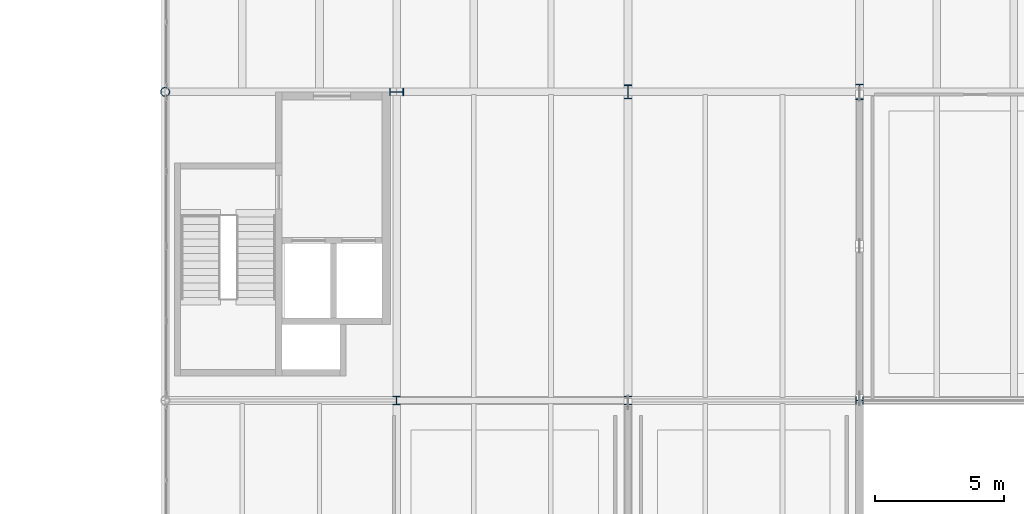
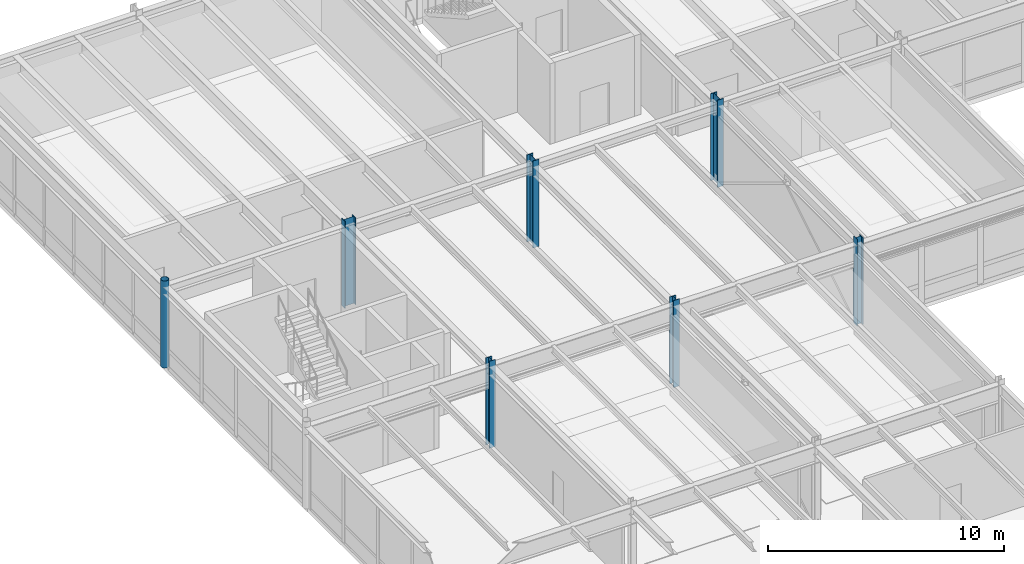
# One storey, part 13 of 127: 7 columns.
"""IFC4 building model written with IfcOpenShell, lengths in metres."""

from ifc_helpers import new_model, si_unit, direction, frame, origin, origin_2d, place, context, subcontext, project, spatial, hollow_circle, i_section, extrude, material, material_profile, profile_set, type_object, element, save


model = new_model("IFC4")

# Units and contexts
model_context = context("Model", 3, precision=1e-05, world=origin(), true_north=direction((0.0, 1.0)))
body_context = subcontext(model_context, "Body", "Model", "MODEL_VIEW")
ifc_project = project(units=[si_unit("LENGTHUNIT", "METRE"), si_unit("AREAUNIT", "SQUARE_METRE"), si_unit("VOLUMEUNIT", "CUBIC_METRE"), si_unit("PLANEANGLEUNIT", "RADIAN"), si_unit("MASSUNIT", "GRAM", prefix="KILO")], contexts=[model_context])

# Site, building, storey
site_placement = place(None, origin())
site = spatial("IfcSite", under=ifc_project, at=site_placement, CompositionType="ELEMENT")
building_placement = place(site_placement, origin())
building = spatial("IfcBuilding", under=site, at=building_placement, Name="Montelvaro Courts of Justice", CompositionType="ELEMENT")
storey_placement = place(building_placement, frame((0.0, 0.0, 5.39990234375)))
storey = spatial("IfcBuildingStorey", under=building, at=storey_placement, Name="L01", CompositionType="ELEMENT", Elevation=5.39990234375)

# Columns
ifc_material = material(Name="Steel S355", Category="steel")
ifc_material_profile_1 = material_profile(ifc_material, hollow_circle(Radius=0.177734375, WallThickness=0.01611328125, at=origin_2d()), Name="CHS 355.6x16")
ifc_profile_set_1 = profile_set([ifc_material_profile_1], Name="Steel S355")
column_type_1 = type_object("IfcColumnType", Name="Col_CHS356", PredefinedType="PILASTER", material=ifc_profile_set_1)
column_1_placement = place(storey_placement, frame((99.0, 78.0, 0.0), z_axis=(0.0, 0.0, 1.0), x_axis=(1.0, 0.0, 0.0)))
element("IfcColumn", 1, at=column_1_placement, inside=storey, type_object=column_type_1, Name="Column C-19 L01 12/G", PredefinedType="PILASTER", context=body_context, shape_type="SweptSolid", body=[
    extrude(hollow_circle(Radius=0.177734375, WallThickness=0.01611328125, at=origin_2d()), origin(), (0.0, 0.0, 1.0), 4.5),
])
ifc_material_profile_2 = material_profile(ifc_material, i_section(OverallWidth=0.300048828125, OverallDepth=0.300048828125, WebThickness=0.010986328125, FlangeThickness=0.01904296875, at=origin_2d()), Name="HEB 300")
ifc_profile_set_2 = profile_set([ifc_material_profile_2], Name="Steel S355")
column_type_2 = type_object("IfcColumnType", Name="Col_HEB300", PredefinedType="COLUMN", material=ifc_profile_set_2)
column_2_placement = place(storey_placement, frame((126.0, 66.0, 0.0), z_axis=(0.0, 0.0, 1.0), x_axis=(0.0, 1.0, 0.0)))
element("IfcColumn", 2, at=column_2_placement, inside=storey, type_object=column_type_2, Name="Column C-03 L01 15/F", PredefinedType="COLUMN", context=body_context, shape_type="SweptSolid", body=[
    extrude(i_section(OverallWidth=0.300048828125, OverallDepth=0.300048828125, WebThickness=0.010986328125, FlangeThickness=0.01904296875, at=origin_2d()), origin(), (0.0, 0.0, 1.0), 4.5),
])
ifc_material_profile_3 = material_profile(ifc_material, i_section(OverallWidth=0.300048828125, OverallDepth=0.320068359375, WebThickness=0.011474609375, FlangeThickness=0.0205078125, at=origin_2d()), Name="HEB 320")
ifc_profile_set_3 = profile_set([ifc_material_profile_3], Name="Steel S355")
column_type_3 = type_object("IfcColumnType", Name="Col_HEB320", PredefinedType="COLUMN", material=ifc_profile_set_3)
column_3_placement = place(storey_placement, frame((108.0, 66.0, 0.0), z_axis=(0.0, 0.0, 1.0), x_axis=(1.0, 0.0, 0.0)))
element("IfcColumn", 3, at=column_3_placement, inside=storey, type_object=column_type_3, Name="Column C-04 L01 13/F", PredefinedType="COLUMN", context=body_context, shape_type="SweptSolid", body=[
    extrude(i_section(OverallWidth=0.300048828125, OverallDepth=0.320068359375, WebThickness=0.011474609375, FlangeThickness=0.0205078125, at=origin_2d()), origin(), (0.0, 0.0, 1.0), 4.5),
])
ifc_material_profile_4 = material_profile(ifc_material, i_section(OverallWidth=0.300048828125, OverallDepth=0.340087890625, WebThickness=0.011962890625, FlangeThickness=0.021484375, at=origin_2d()), Name="HEB 340")
ifc_profile_set_4 = profile_set([ifc_material_profile_4], Name="Steel S355")
column_type_4 = type_object("IfcColumnType", Name="Col_HEB340", PredefinedType="COLUMN", material=ifc_profile_set_4)
column_4_placement = place(storey_placement, frame((117.0, 66.0, 0.0), z_axis=(0.0, 0.0, 1.0), x_axis=(1.0, 0.0, 0.0)))
element("IfcColumn", 4, at=column_4_placement, inside=storey, type_object=column_type_4, Name="Column C-05 L01 14/F", PredefinedType="COLUMN", context=body_context, shape_type="SweptSolid", body=[
    extrude(i_section(OverallWidth=0.300048828125, OverallDepth=0.340087890625, WebThickness=0.011962890625, FlangeThickness=0.021484375, at=origin_2d()), origin(), (0.0, 0.0, 1.0), 4.5),
])
ifc_material_profile_5 = material_profile(ifc_material, i_section(OverallWidth=0.300048828125, OverallDepth=0.550048828125, WebThickness=0.014892578125, FlangeThickness=0.029052734375, at=origin_2d()), Name="HEB 550")
ifc_profile_set_5 = profile_set([ifc_material_profile_5], Name="Steel S355")
column_type_5 = type_object("IfcColumnType", Name="Col_HEB550", PredefinedType="COLUMN", material=ifc_profile_set_5)
for number, where, z_axis, x_axis, name in (
    (5, (108.0, 78.0, 0.0), (0.0, 0.0, 1.0), (0.0, 1.0, 0.0), "Column C-10 L01 13/G"),
    (6, (117.0, 78.0, 0.0), (0.0, 0.0, 1.0), (1.0, 0.0, 0.0), "Column C-10 L01 14/G"),
):
    element("IfcColumn", number, at=place(storey_placement, frame(where, z_axis=z_axis, x_axis=x_axis)), inside=storey, type_object=column_type_5, Name=name, PredefinedType="COLUMN", context=body_context, shape_type="SweptSolid", body=[
        extrude(i_section(OverallWidth=0.300048828125, OverallDepth=0.550048828125, WebThickness=0.014892578125, FlangeThickness=0.029052734375, at=origin_2d()), origin(), (0.0, 0.0, 1.0), 4.5),
    ])
ifc_material_profile_6 = material_profile(ifc_material, i_section(OverallWidth=0.300048828125, OverallDepth=0.60009765625, WebThickness=0.015380859375, FlangeThickness=0.030029296875, at=origin_2d()), Name="HEB 600")
ifc_profile_set_6 = profile_set([ifc_material_profile_6], Name="Steel S355")
column_type_6 = type_object("IfcColumnType", Name="Col_HEB600", PredefinedType="COLUMN", material=ifc_profile_set_6)
column_5_placement = place(storey_placement, frame((126.0, 78.0, 0.0), z_axis=(0.0, 0.0, 1.0), x_axis=(1.0, 0.0, 0.0)))
element("IfcColumn", 7, at=column_5_placement, inside=storey, type_object=column_type_6, Name="Column C-11 L01 15/G", PredefinedType="COLUMN", context=body_context, shape_type="SweptSolid", body=[
    extrude(i_section(OverallWidth=0.300048828125, OverallDepth=0.60009765625, WebThickness=0.015380859375, FlangeThickness=0.030029296875, at=origin_2d()), origin(), (0.0, 0.0, 1.0), 4.5),
])

save(model, "model.ifc")
